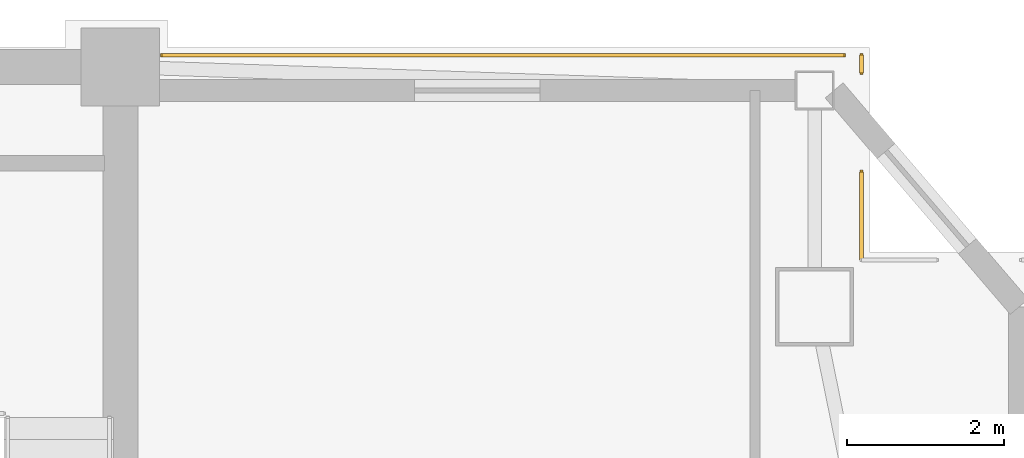
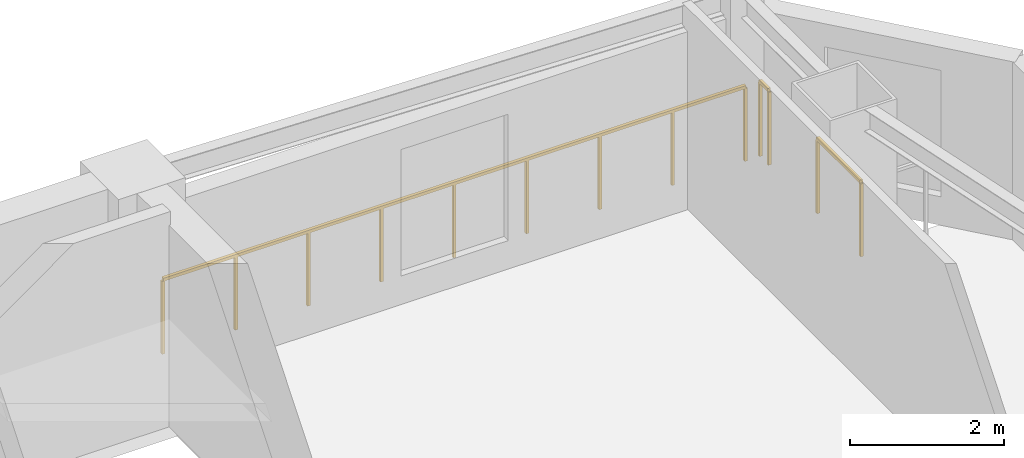
# One storey, part 17 of 17: 3 railings.
"""IFC4 building model written with IfcOpenShell, lengths in metres."""

from ifc_helpers import new_model, si_unit, direction, frame, origin, origin_2d, place, context, subcontext, project, spatial, rectangle, extrude, material, type_object, element, save


model = new_model("IFC4")

# Units and contexts
model_context = context("Model", 3, precision=1e-05, world=origin(), true_north=direction((0.0, 1.0)))
body_context = subcontext(model_context, "Body", "Model", "MODEL_VIEW")
ifc_project = project(units=[si_unit("LENGTHUNIT", "METRE"), si_unit("AREAUNIT", "SQUARE_METRE"), si_unit("VOLUMEUNIT", "CUBIC_METRE"), si_unit("PLANEANGLEUNIT", "RADIAN"), si_unit("MASSUNIT", "GRAM", prefix="KILO")], contexts=[model_context])

# Site, building, storey
site_placement = place(None, origin())
site = spatial("IfcSite", under=ifc_project, at=site_placement, CompositionType="ELEMENT")
building_placement = place(site_placement, origin())
building = spatial("IfcBuilding", under=site, at=building_placement, Name="Giltprow Tower", CompositionType="ELEMENT")
storey_placement = place(building_placement, frame((0.0, 0.0, 251.89990234375)))
storey = spatial("IfcBuildingStorey", under=building, at=storey_placement, Name="L64", CompositionType="ELEMENT", Elevation=251.89990234375)

# Railings
ifc_material = material(Name="Anodized bronze", Category="metal")
railing_type = type_object("IfcRailingType", Name="RAIL-BALC-GUARD-1200", PredefinedType="BALUSTRADE", material=ifc_material)
railing_1_placement = place(storey_placement, frame((51.0849609375, 46.699951171875, 0.0)))
element("IfcRailing", 1, at=railing_1_placement, inside=storey, type_object=railing_type, Name="L64 Corner Apron Edge Balustrade 19", PredefinedType="BALUSTRADE", context=body_context, shape_type="SweptSolid", body=[
    extrude(rectangle(XDim=0.048095703125, YDim=0.048095703125, at=origin_2d()), frame((0.0, 0.0, 1.17578125), z_axis=(1.0, 0.0, 0.0), x_axis=(0.0, 1.0, 0.0)), (0.0, 0.0, 1.0), 8.713134765625),
    extrude(rectangle(XDim=0.0419921875, YDim=0.0419921875, at=origin_2d()), origin(), (0.0, 0.0, 1.0), 1.15185546875),
    extrude(rectangle(XDim=0.0419921875, YDim=0.0419921875, at=origin_2d()), frame((1.089111328125, 0.0, 0.0)), (0.0, 0.0, 1.0), 1.15185546875),
    extrude(rectangle(XDim=0.0419921875, YDim=0.0419921875, at=origin_2d()), frame((2.17822265625, 0.0, 0.0)), (0.0, 0.0, 1.0), 1.15185546875),
    extrude(rectangle(XDim=0.0419921875, YDim=0.0419921875, at=origin_2d()), frame((3.267333984375, 0.0, 0.0)), (0.0, 0.0, 1.0), 1.15185546875),
    extrude(rectangle(XDim=0.0419921875, YDim=0.0419921875, at=origin_2d()), frame((4.3564453125, 0.0, 0.0)), (0.0, 0.0, 1.0), 1.15185546875),
    extrude(rectangle(XDim=0.0419921875, YDim=0.0419921875, at=origin_2d()), frame((5.44580078125, 0.0, 0.0)), (0.0, 0.0, 1.0), 1.15185546875),
    extrude(rectangle(XDim=0.0419921875, YDim=0.0419921875, at=origin_2d()), frame((6.534912109375, 0.0, 0.0)), (0.0, 0.0, 1.0), 1.15185546875),
    extrude(rectangle(XDim=0.0419921875, YDim=0.0419921875, at=origin_2d()), frame((7.6240234375, 0.0, 0.0)), (0.0, 0.0, 1.0), 1.15185546875),
    extrude(rectangle(XDim=0.0419921875, YDim=0.0419921875, at=origin_2d()), frame((8.713134765625, 0.0, 0.0)), (0.0, 0.0, 1.0), 1.15185546875),
])
railing_2_placement = place(storey_placement, frame((60.02197265625, 46.699951171875, 0.0)))
element("IfcRailing", 2, at=railing_2_placement, inside=storey, type_object=railing_type, Name="L64 Corner Apron Edge Balustrade 20", PredefinedType="BALUSTRADE", context=body_context, shape_type="SweptSolid", body=[
    extrude(rectangle(XDim=0.048095703125, YDim=0.048095703125, at=origin_2d()), frame((0.0, 0.0, 1.17578125), z_axis=(0.0, -1.0, 0.0), x_axis=(1.0, 0.0, 0.0)), (0.0, 0.0, 1.0), 0.22802734375),
    extrude(rectangle(XDim=0.0419921875, YDim=0.0419921875, at=origin_2d()), origin(), (0.0, 0.0, 1.0), 1.15185546875),
    extrude(rectangle(XDim=0.0419921875, YDim=0.0419921875, at=origin_2d()), frame((0.0, -0.22802734375, 0.0)), (0.0, 0.0, 1.0), 1.15185546875),
])
railing_3_placement = place(storey_placement, frame((60.02197265625, 45.2099609375, 0.0)))
element("IfcRailing", 3, at=railing_3_placement, inside=storey, type_object=railing_type, Name="L64 Corner Apron Edge Balustrade 21", PredefinedType="BALUSTRADE", context=body_context, shape_type="SweptSolid", body=[
    extrude(rectangle(XDim=0.048095703125, YDim=0.048095703125, at=origin_2d()), frame((0.0, 0.0, 1.17578125), z_axis=(0.0, -1.0, 0.0), x_axis=(1.0, 0.0, 0.0)), (0.0, 0.0, 1.0), 1.1259765625),
    extrude(rectangle(XDim=0.0419921875, YDim=0.0419921875, at=origin_2d()), origin(), (0.0, 0.0, 1.0), 1.15185546875),
    extrude(rectangle(XDim=0.0419921875, YDim=0.0419921875, at=origin_2d()), frame((0.0, -1.1259765625, 0.0)), (0.0, 0.0, 1.0), 1.15185546875),
])

save(model, "model.ifc")
